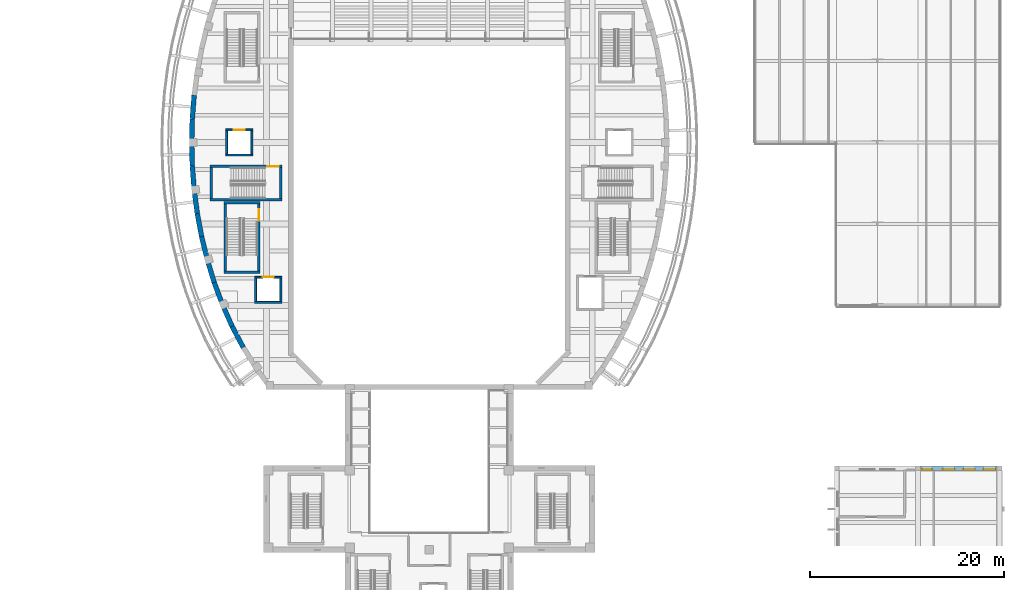
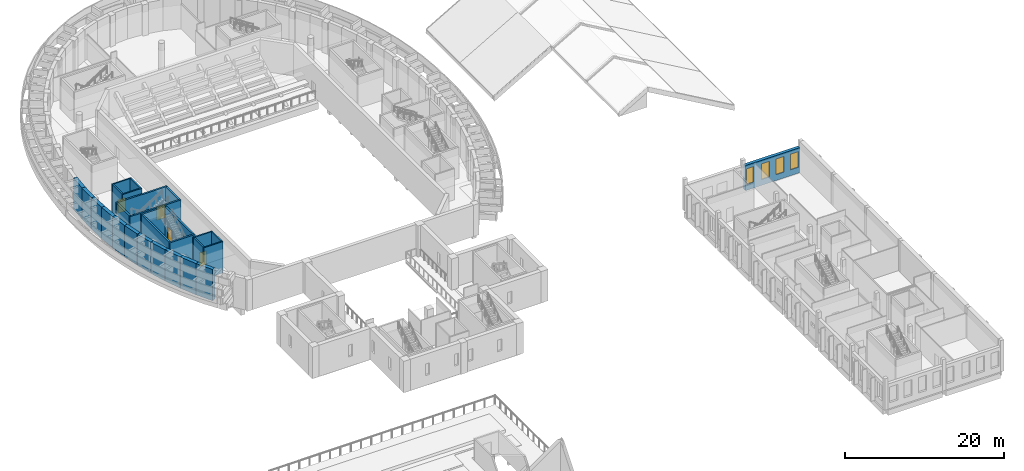
# One storey, part 12 of 37: 28 walls, 4 doors, 4 windows, 8 openings.
"""IFC4 building model written with IfcOpenShell, lengths in metres."""

from ifc_helpers import new_model, si_unit, direction, frame, frame_2d, origin, place, context, subcontext, project, spatial, rectangle, extrude, material, layer, layer_set, type_object, element, fill, save


model = new_model("IFC4")

# Units and contexts
model_context = context("Model", 3, precision=1e-05, world=origin(), true_north=direction((0.0, 1.0)))
body_context = subcontext(model_context, "Body", "Model", "MODEL_VIEW")
ifc_project = project(units=[si_unit("LENGTHUNIT", "METRE"), si_unit("AREAUNIT", "SQUARE_METRE"), si_unit("VOLUMEUNIT", "CUBIC_METRE"), si_unit("PLANEANGLEUNIT", "RADIAN"), si_unit("MASSUNIT", "GRAM", prefix="KILO")], contexts=[model_context])

# Site, building, storey
site_placement = place(None, origin())
site = spatial("IfcSite", under=ifc_project, at=site_placement, CompositionType="ELEMENT")
building_placement = place(site_placement, origin())
building = spatial("IfcBuilding", under=site, at=building_placement, Name="Larchfold Concert Hall", CompositionType="ELEMENT")
storey_placement = place(building_placement, frame((0.0, 0.0, 19.199951171875)))
storey = spatial("IfcBuildingStorey", under=building, at=storey_placement, Name="L04", CompositionType="ELEMENT", Elevation=19.199951171875)

# Wall
ifc_material_1 = material(Name="Concrete C40/50", Category="concrete")
ifc_layer_1 = layer(ifc_material_1, 0.199951171875)
ifc_layer_set_1 = layer_set([ifc_layer_1], Name="Concrete C40/50")
wall_type_1 = type_object("IfcWallType", Name="Wall RC 200 lift shaft", PredefinedType="SOLIDWALL", material=ifc_layer_set_1)
wall_1_placement = place(storey_placement, frame((24.60009765625, 68.10009765625, 0.0), z_axis=(0.0, 0.0, 1.0), x_axis=(1.0, 0.0, 0.0)))
element("IfcWall", 1, at=wall_1_placement, inside=storey, type_object=wall_type_1, Name="Wall W0090", PredefinedType="SOLIDWALL", context=body_context, shape_type="SweptSolid", body=[
    extrude(rectangle(XDim=2.7998046875, YDim=0.199951171875, at=frame_2d((1.39990234375, 0.0))), origin(), (0.0, 0.0, 1.0), 4.800048828125),
])

# Wall, opening, door
wall_2_placement = place(storey_placement, frame((24.60009765625, 70.699951171875, 0.0), z_axis=(0.0, 0.0, 1.0), x_axis=(1.0, 0.0, 0.0)))
wall_2 = element("IfcWall", 2, at=wall_2_placement, inside=storey, type_object=wall_type_1, Name="Wall W0091", PredefinedType="SOLIDWALL", context=body_context, shape_type="SweptSolid", body=[
    extrude(rectangle(XDim=2.7998046875, YDim=0.199951171875, at=frame_2d((1.39990234375, 0.0))), origin(), (0.0, 0.0, 1.0), 4.800048828125),
])
opening_1_placement = place(wall_2_placement, frame((0.849853515625, 0.0, 0.0)))
opening_1 = element("IfcOpeningElement", 3, at=opening_1_placement, cuts=wall_2, Name="Opening LD-LF02", PredefinedType="OPENING", context=body_context, shape_type="SweptSolid", body=[
    extrude(rectangle(XDim=1.10009765625, YDim=2.10009765625, at=frame_2d((0.550048828125, 1.050048828125))), frame((0.0, 0.10986328125, 0.0), z_axis=(0.0, -1.0, 0.0), x_axis=(1.0, 0.0, 0.0)), (0.0, 0.0, 1.0), 0.219970703125),
])
ifc_material_2 = material(Name="Stainless steel sliding leaves", Category="steel")
door_type_1 = type_object("IfcDoorType", Name="Lift landing door sliding 1100 x 2100", OperationType="SLIDING_TO_LEFT", PredefinedType="DOOR", material=ifc_material_2)
door_1_placement = place(opening_1_placement, origin())
door_1 = element("IfcDoor", 4, at=door_1_placement, inside=storey, type_object=door_type_1, Name="Lift landing door LF02", OperationType="SLIDING_TO_LEFT", OverallHeight=2.10009765625, OverallWidth=1.10009765625, PredefinedType="DOOR", context=body_context, shape_type="SweptSolid", body=[
    extrude(rectangle(XDim=1.10009765625, YDim=2.10009765625, at=frame_2d((0.550048828125, 1.050048828125))), frame((0.0, 0.02490234375, 0.0), z_axis=(0.0, -1.0, 0.0), x_axis=(1.0, 0.0, 0.0)), (0.0, 0.0, 1.0), 0.050048828125),
])
fill(opening_1, door_1)

# Walls
for number, where, z_axis, x_axis, name in (
    (5, (24.7001953125, 68.199951171875, 0.0), (0.0, 0.0, 1.0), (0.0, 1.0, 0.0), "Wall W0092"),
    (6, (27.2998046875, 68.199951171875, 0.0), (0.0, 0.0, 1.0), (0.0, 1.0, 0.0), "Wall W0093"),
):
    element("IfcWall", number, at=place(storey_placement, frame(where, z_axis=z_axis, x_axis=x_axis)), inside=storey, type_object=wall_type_1, Name=name, PredefinedType="SOLIDWALL", context=body_context, shape_type="SweptSolid", body=[
        extrude(rectangle(XDim=2.400146484375, YDim=0.199951171875, at=frame_2d((1.2001953125, 0.0))), origin(), (0.0, 0.0, 1.0), 4.800048828125),
    ])
wall_3_placement = place(storey_placement, frame((21.60009765625, 83.300048828125, 0.0), z_axis=(0.0, 0.0, 1.0), x_axis=(1.0, 0.0, 0.0)))
element("IfcWall", 7, at=wall_3_placement, inside=storey, type_object=wall_type_1, Name="Wall W0098", PredefinedType="SOLIDWALL", context=body_context, shape_type="SweptSolid", body=[
    extrude(rectangle(XDim=2.7998046875, YDim=0.199951171875, at=frame_2d((1.39990234375, 0.0))), origin(), (0.0, 0.0, 1.0), 4.800048828125),
])

# Wall, opening, door
wall_4_placement = place(storey_placement, frame((21.60009765625, 85.89990234375, 0.0), z_axis=(0.0, 0.0, 1.0), x_axis=(1.0, 0.0, 0.0)))
wall_4 = element("IfcWall", 8, at=wall_4_placement, inside=storey, type_object=wall_type_1, Name="Wall W0099", PredefinedType="SOLIDWALL", context=body_context, shape_type="SweptSolid", body=[
    extrude(rectangle(XDim=2.7998046875, YDim=0.199951171875, at=frame_2d((1.39990234375, 0.0))), origin(), (0.0, 0.0, 1.0), 4.800048828125),
])
opening_2_placement = place(wall_4_placement, frame((0.849853515625, 0.0, 0.0)))
opening_2 = element("IfcOpeningElement", 9, at=opening_2_placement, cuts=wall_4, Name="Opening LD-LF04", PredefinedType="OPENING", context=body_context, shape_type="SweptSolid", body=[
    extrude(rectangle(XDim=1.10009765625, YDim=2.10009765625, at=frame_2d((0.550048828125, 1.050048828125))), frame((0.0, 0.10986328125, 0.0), z_axis=(0.0, -1.0, 0.0), x_axis=(1.0, 0.0, 0.0)), (0.0, 0.0, 1.0), 0.219970703125),
])
door_2_placement = place(opening_2_placement, origin())
door_2 = element("IfcDoor", 10, at=door_2_placement, inside=storey, type_object=door_type_1, Name="Lift landing door LF04", OperationType="SLIDING_TO_LEFT", OverallHeight=2.10009765625, OverallWidth=1.10009765625, PredefinedType="DOOR", context=body_context, shape_type="SweptSolid", body=[
    extrude(rectangle(XDim=1.10009765625, YDim=2.10009765625, at=frame_2d((0.550048828125, 1.050048828125))), frame((0.0, 0.02490234375, 0.0), z_axis=(0.0, -1.0, 0.0), x_axis=(1.0, 0.0, 0.0)), (0.0, 0.0, 1.0), 0.050048828125),
])
fill(opening_2, door_2)

# Walls
for number, where, z_axis, x_axis, name in (
    (11, (21.7001953125, 83.39990234375, 0.0), (0.0, 0.0, 1.0), (0.0, 1.0, 0.0), "Wall W0100"),
    (12, (24.2998046875, 83.39990234375, 0.0), (0.0, 0.0, 1.0), (0.0, 1.0, 0.0), "Wall W0101"),
):
    element("IfcWall", number, at=place(storey_placement, frame(where, z_axis=z_axis, x_axis=x_axis)), inside=storey, type_object=wall_type_1, Name=name, PredefinedType="SOLIDWALL", context=body_context, shape_type="SweptSolid", body=[
        extrude(rectangle(XDim=2.400146484375, YDim=0.199951171875, at=frame_2d((1.2001953125, 0.0))), origin(), (0.0, 0.0, 1.0), 4.800048828125),
    ])
ifc_material_3 = material(Name="Concrete C40/50", Category="concrete")
ifc_layer_2 = layer(ifc_material_3, 0.25)
ifc_layer_set_2 = layer_set([ifc_layer_2], Name="Concrete C40/50")
wall_type_2 = type_object("IfcWallType", Name="Wall RC 250 stair core", PredefinedType="SOLIDWALL", material=ifc_layer_set_2)
for number, where, z_axis, x_axis, name in (
    (13, (21.449951171875, 71.22509765625, 0.0), (0.0, 0.0, 1.0), (1.0, 0.0, 0.0), "Wall W0042"),
    (14, (21.449951171875, 78.375, 0.0), (0.0, 0.0, 1.0), (1.0, 0.0, 0.0), "Wall W0043"),
):
    element("IfcWall", number, at=place(storey_placement, frame(where, z_axis=z_axis, x_axis=x_axis)), inside=storey, type_object=wall_type_2, Name=name, PredefinedType="SOLIDWALL", context=body_context, shape_type="SweptSolid", body=[
        extrude(rectangle(XDim=3.699951171875, YDim=0.25, at=frame_2d((1.85009765625, 0.0))), origin(), (0.0, 0.0, 1.0), 4.800048828125),
    ])
wall_5_placement = place(storey_placement, frame((21.574951171875, 71.35009765625, 0.0), z_axis=(0.0, 0.0, 1.0), x_axis=(0.0, 1.0, 0.0)))
element("IfcWall", 15, at=wall_5_placement, inside=storey, type_object=wall_type_2, Name="Wall W0044", PredefinedType="SOLIDWALL", context=body_context, shape_type="SweptSolid", body=[
    extrude(rectangle(XDim=6.89990234375, YDim=0.25, at=frame_2d((3.449951171875, 0.0))), origin(), (0.0, 0.0, 1.0), 4.800048828125),
])

# Wall, opening, door
wall_6_placement = place(storey_placement, frame((25.02490234375, 71.35009765625, 0.0), z_axis=(0.0, 0.0, 1.0), x_axis=(0.0, 1.0, 0.0)))
wall_6 = element("IfcWall", 16, at=wall_6_placement, inside=storey, type_object=wall_type_2, Name="Wall W0045", PredefinedType="SOLIDWALL", context=body_context, shape_type="SweptSolid", body=[
    extrude(rectangle(XDim=6.89990234375, YDim=0.25, at=frame_2d((3.449951171875, 0.0))), origin(), (0.0, 0.0, 1.0), 4.800048828125),
])
opening_3_placement = place(wall_6_placement, frame((5.14990234375, 0.0, 0.0)))
opening_3 = element("IfcOpeningElement", 17, at=opening_3_placement, cuts=wall_6, Name="Opening D-L04-117", PredefinedType="OPENING", context=body_context, shape_type="SweptSolid", body=[
    extrude(rectangle(XDim=1.199951171875, YDim=2.10009765625, at=frame_2d((0.60009765625, 1.050048828125))), frame((0.0, 0.135009765625, 0.0), z_axis=(0.0, -1.0, 0.0), x_axis=(1.0, 0.0, 0.0)), (0.0, 0.0, 1.0), 0.27001953125),
])
ifc_material_4 = material(Name="Timber door leaf", Category="wood")
door_type_2 = type_object("IfcDoorType", Name="Stair enclosure door pair 1200 x 2100 FD60", OperationType="SINGLE_SWING_LEFT", PredefinedType="DOOR", material=ifc_material_4)
door_3_placement = place(opening_3_placement, origin())
door_3 = element("IfcDoor", 18, at=door_3_placement, inside=storey, type_object=door_type_2, Name="Door D-L04-117", OperationType="DOUBLE_DOOR_SINGLE_SWING", OverallHeight=2.10009765625, OverallWidth=1.199951171875, PredefinedType="DOOR", context=body_context, shape_type="SweptSolid", body=[
    extrude(rectangle(XDim=1.199951171875, YDim=2.10009765625, at=frame_2d((0.60009765625, 1.050048828125))), frame((0.0, 0.02490234375, 0.0), z_axis=(0.0, -1.0, 0.0), x_axis=(1.0, 0.0, 0.0)), (0.0, 0.0, 1.0), 0.050048828125),
])
fill(opening_3, door_3)

# Wall
wall_7_placement = place(storey_placement, frame((20.0, 78.675048828125, 0.0), z_axis=(0.0, 0.0, 1.0), x_axis=(1.0, 0.0, 0.0)))
element("IfcWall", 19, at=wall_7_placement, inside=storey, type_object=wall_type_2, Name="Wall W0050", PredefinedType="SOLIDWALL", context=body_context, shape_type="SweptSolid", body=[
    extrude(rectangle(XDim=7.39990234375, YDim=0.25, at=frame_2d((3.699951171875, 0.0))), origin(), (0.0, 0.0, 1.0), 4.800048828125),
])

# Wall, opening, door
wall_8_placement = place(storey_placement, frame((20.0, 82.125, 0.0), z_axis=(0.0, 0.0, 1.0), x_axis=(1.0, 0.0, 0.0)))
wall_8 = element("IfcWall", 20, at=wall_8_placement, inside=storey, type_object=wall_type_2, Name="Wall W0051", PredefinedType="SOLIDWALL", context=body_context, shape_type="SweptSolid", body=[
    extrude(rectangle(XDim=7.39990234375, YDim=0.25, at=frame_2d((3.699951171875, 0.0))), origin(), (0.0, 0.0, 1.0), 4.800048828125),
])
opening_4_placement = place(wall_8_placement, frame((5.89990234375, 0.0, 0.0)))
opening_4 = element("IfcOpeningElement", 21, at=opening_4_placement, cuts=wall_8, Name="Opening D-L04-119", PredefinedType="OPENING", context=body_context, shape_type="SweptSolid", body=[
    extrude(rectangle(XDim=1.199951171875, YDim=2.10009765625, at=frame_2d((0.60009765625, 1.050048828125))), frame((0.0, 0.135009765625, 0.0), z_axis=(0.0, -1.0, 0.0), x_axis=(1.0, 0.0, 0.0)), (0.0, 0.0, 1.0), 0.27001953125),
])
door_4_placement = place(opening_4_placement, origin())
door_4 = element("IfcDoor", 22, at=door_4_placement, inside=storey, type_object=door_type_2, Name="Door D-L04-119", OperationType="DOUBLE_DOOR_SINGLE_SWING", OverallHeight=2.10009765625, OverallWidth=1.199951171875, PredefinedType="DOOR", context=body_context, shape_type="SweptSolid", body=[
    extrude(rectangle(XDim=1.199951171875, YDim=2.10009765625, at=frame_2d((0.60009765625, 1.050048828125))), frame((0.0, 0.02490234375, 0.0), z_axis=(0.0, -1.0, 0.0), x_axis=(1.0, 0.0, 0.0)), (0.0, 0.0, 1.0), 0.050048828125),
])
fill(opening_4, door_4)

# Walls
for number, where, z_axis, x_axis, name in (
    (23, (20.125, 78.800048828125, 0.0), (0.0, 0.0, 1.0), (0.0, 1.0, 0.0), "Wall W0052"),
    (24, (27.27490234375, 78.800048828125, 0.0), (0.0, 0.0, 1.0), (0.0, 1.0, 0.0), "Wall W0053"),
):
    element("IfcWall", number, at=place(storey_placement, frame(where, z_axis=z_axis, x_axis=x_axis)), inside=storey, type_object=wall_type_2, Name=name, PredefinedType="SOLIDWALL", context=body_context, shape_type="SweptSolid", body=[
        extrude(rectangle(XDim=3.199951171875, YDim=0.25, at=frame_2d((1.60009765625, 0.0))), origin(), (0.0, 0.0, 1.0), 4.800048828125),
    ])
ifc_material_5 = material(Name="Concrete C30/37", Category="concrete")
ifc_layer_3 = layer(ifc_material_5, 0.5)
ifc_layer_set_3 = layer_set([ifc_layer_3], Name="Concrete C30/37")
wall_type_3 = type_object("IfcWallType", Name="Wall RC 500 drum facade", PredefinedType="SOLIDWALL", material=ifc_layer_set_3)
for number, where, z_axis, x_axis, name in (
    (25, (18.3515625, 89.459716796875, 0.0), (0.0, 0.0, 1.0), (-0.077540262419, -0.996989221458, 0.0), "Wall DW037"),
    (26, (18.162841796875, 87.033203125, 0.0), (0.0, 0.0, 1.0), (-0.025779107921, -0.999667663574, 0.0), "Wall DW038"),
):
    element("IfcWall", number, at=place(storey_placement, frame(where, z_axis=z_axis, x_axis=x_axis)), inside=storey, type_object=wall_type_3, Name=name, PredefinedType="SOLIDWALL", context=body_context, shape_type="SweptSolid", body=[
        extrude(rectangle(XDim=2.433837890625, YDim=0.5, at=frame_2d((1.216796875, 0.0))), origin(), (0.0, 0.0, 1.0), 4.800048828125),
    ])
wall_9_placement = place(storey_placement, frame((18.10009765625, 84.60009765625, 0.0), z_axis=(0.0, 0.0, 1.0), x_axis=(0.02591869307, -0.999664054245, 0.0)))
element("IfcWall", 27, at=wall_9_placement, inside=storey, type_object=wall_type_3, Name="Wall DW039", PredefinedType="SOLIDWALL", context=body_context, shape_type="SweptSolid", body=[
    extrude(rectangle(XDim=2.448974609375, YDim=0.5, at=frame_2d((1.224609375, 0.0))), origin(), (0.0, 0.0, 1.0), 4.800048828125),
])
wall_10_placement = place(storey_placement, frame((18.16357421875, 82.15185546875, 0.0), z_axis=(0.0, 0.0, 1.0), x_axis=(0.078053315948, -0.996949186202, 0.0)))
element("IfcWall", 28, at=wall_10_placement, inside=storey, type_object=wall_type_3, Name="Wall DW040", PredefinedType="SOLIDWALL", context=body_context, shape_type="SweptSolid", body=[
    extrude(rectangle(XDim=2.44921875, YDim=0.5, at=frame_2d((1.224609375, 0.0))), origin(), (0.0, 0.0, 1.0), 4.800048828125),
])
for number, where, z_axis, x_axis, name in (
    (29, (18.354736328125, 79.710205078125, 0.0), (0.0, 0.0, 1.0), (0.130498353005, -0.991448526078, 0.0), "Wall DW041"),
    (30, (18.67431640625, 77.2822265625, 0.0), (0.0, 0.0, 1.0), (0.183524085598, -0.983015213517, 0.0), "Wall DW042"),
    (31, (19.123779296875, 74.874755859375, 0.0), (0.0, 0.0, 1.0), (0.237465633216, -0.971395940408, 0.0), "Wall DW043"),
    (32, (19.705322265625, 72.495849609375, 0.0), (0.0, 0.0, 1.0), (0.29250219685, -0.95626485078, 0.0), "Wall DW044"),
    (33, (20.421630859375, 70.154052734375, 0.0), (0.0, 0.0, 1.0), (0.348817204426, -0.937190779882, 0.0), "Wall DW045"),
):
    element("IfcWall", number, at=place(storey_placement, frame(where, z_axis=z_axis, x_axis=x_axis)), inside=storey, type_object=wall_type_3, Name=name, PredefinedType="SOLIDWALL", context=body_context, shape_type="SweptSolid", body=[
        extrude(rectangle(XDim=2.448974609375, YDim=0.5, at=frame_2d((1.224609375, 0.0))), origin(), (0.0, 0.0, 1.0), 4.800048828125),
    ])
wall_11_placement = place(storey_placement, frame((21.27587890625, 67.85888671875, 0.0), z_axis=(0.0, 0.0, 1.0), x_axis=(0.406767391574, -0.913531766909, 0.0)))
element("IfcWall", 34, at=wall_11_placement, inside=storey, type_object=wall_type_3, Name="Wall DW046", PredefinedType="SOLIDWALL", context=body_context, shape_type="SweptSolid", body=[
    extrude(rectangle(XDim=2.44873046875, YDim=0.5, at=frame_2d((1.224365234375, 0.0))), origin(), (0.0, 0.0, 1.0), 4.800048828125),
])
wall_12_placement = place(storey_placement, frame((22.27197265625, 65.621826171875, 0.0), z_axis=(0.0, 0.0, 1.0), x_axis=(0.466448872517, -0.884548161112, 0.0)))
element("IfcWall", 35, at=wall_12_placement, inside=storey, type_object=wall_type_3, Name="Wall DW047", PredefinedType="SOLIDWALL", context=body_context, shape_type="SweptSolid", body=[
    extrude(rectangle(XDim=2.448974609375, YDim=0.5, at=frame_2d((1.224609375, 0.0))), origin(), (0.0, 0.0, 1.0), 4.800048828125),
])

# Wall, openings, windows
ifc_material_6 = material(Name="White render on mineral wool and block")
ifc_layer_4 = layer(ifc_material_6, 0.449951171875)
ifc_layer_set_4 = layer_set([ifc_layer_4], Name="White render on mineral wool and block")
wall_type_4 = type_object("IfcWallType", Name="White render infill wall 450", PredefinedType="SOLIDWALL", material=ifc_layer_set_4)
wall_13_placement = place(storey_placement, frame((101.14990234375, 51.0, 0.0), z_axis=(0.0, 0.0, 1.0), x_axis=(-1.0, 0.0, 0.0)))
wall_13 = element("IfcWall", 36, at=wall_13_placement, inside=storey, type_object=wall_type_4, Name="Infill wall W5166", PredefinedType="SOLIDWALL", context=body_context, shape_type="SweptSolid", body=[
    extrude(rectangle(XDim=7.89990234375, YDim=0.449951171875, at=frame_2d((3.949951171875, 0.0))), origin(), (0.0, 0.0, 1.0), 3.840087890625),
])
opening_5_placement = place(wall_13_placement, frame((6.7216796875, 0.0, 0.89990234375)))
opening_5 = element("IfcOpeningElement", 37, at=opening_5_placement, cuts=wall_13, Name="Opening WN-L04-017", PredefinedType="OPENING", context=body_context, shape_type="SweptSolid", body=[
    extrude(rectangle(XDim=1.050048828125, YDim=2.39990234375, at=frame_2d((0.52490234375, 1.199951171875))), frame((0.0, 0.23486328125, 0.0), z_axis=(0.0, -1.0, 0.0), x_axis=(1.0, 0.0, 0.0)), (0.0, 0.0, 1.0), 0.469970703125),
])
opening_6_placement = place(wall_13_placement, frame((4.39990234375, 0.0, 0.89990234375)))
opening_6 = element("IfcOpeningElement", 38, at=opening_6_placement, cuts=wall_13, Name="Opening WN-L04-018", PredefinedType="OPENING", context=body_context, shape_type="SweptSolid", body=[
    extrude(rectangle(XDim=1.199951171875, YDim=2.39990234375, at=frame_2d((0.60009765625, 1.199951171875))), frame((0.0, 0.23486328125, 0.0), z_axis=(0.0, -1.0, 0.0), x_axis=(1.0, 0.0, 0.0)), (0.0, 0.0, 1.0), 0.469970703125),
])
opening_7_placement = place(wall_13_placement, frame((2.2998046875, 0.0, 0.89990234375)))
opening_7 = element("IfcOpeningElement", 39, at=opening_7_placement, cuts=wall_13, Name="Opening WN-L04-019", PredefinedType="OPENING", context=body_context, shape_type="SweptSolid", body=[
    extrude(rectangle(XDim=1.199951171875, YDim=2.39990234375, at=frame_2d((0.60009765625, 1.199951171875))), frame((0.0, 0.23486328125, 0.0), z_axis=(0.0, -1.0, 0.0), x_axis=(1.0, 0.0, 0.0)), (0.0, 0.0, 1.0), 0.469970703125),
])
opening_8_placement = place(wall_13_placement, frame((0.199951171875, 0.0, 0.89990234375)))
opening_8 = element("IfcOpeningElement", 40, at=opening_8_placement, cuts=wall_13, Name="Opening WN-L04-020", PredefinedType="OPENING", context=body_context, shape_type="SweptSolid", body=[
    extrude(rectangle(XDim=1.199951171875, YDim=2.39990234375, at=frame_2d((0.60009765625, 1.199951171875))), frame((0.0, 0.23486328125, 0.0), z_axis=(0.0, -1.0, 0.0), x_axis=(1.0, 0.0, 0.0)), (0.0, 0.0, 1.0), 0.469970703125),
])
ifc_material_7 = material(Name="Anodised graphite aluminium frame with glass", Category="aluminium")
window_type_1 = type_object("IfcWindowType", Name="Slot window 1050x2400", PartitioningType="SINGLE_PANEL", PredefinedType="WINDOW", material=ifc_material_7)
window_1_placement = place(opening_5_placement, origin())
window_1 = element("IfcWindow", 41, at=window_1_placement, inside=storey, type_object=window_type_1, Name="Window WN-L04-017", OverallHeight=2.39990234375, OverallWidth=1.050048828125, PartitioningType="SINGLE_PANEL", PredefinedType="WINDOW", context=body_context, shape_type="SweptSolid", body=[
    extrude(rectangle(XDim=1.050048828125, YDim=2.39990234375, at=frame_2d((0.52490234375, 1.199951171875))), frame((0.0, 0.135009765625, 0.0), z_axis=(0.0, -1.0, 0.0), x_axis=(1.0, 0.0, 0.0)), (0.0, 0.0, 1.0), 0.06005859375),
])
fill(opening_5, window_1)
ifc_material_8 = material(Name="Anodised graphite aluminium frame with glass", Category="aluminium")
window_type_2 = type_object("IfcWindowType", Name="Slot window 1200x2400", PartitioningType="SINGLE_PANEL", PredefinedType="WINDOW", material=ifc_material_8)
window_2_placement = place(opening_6_placement, origin())
window_2 = element("IfcWindow", 42, at=window_2_placement, inside=storey, type_object=window_type_2, Name="Window WN-L04-018", OverallHeight=2.39990234375, OverallWidth=1.199951171875, PartitioningType="SINGLE_PANEL", PredefinedType="WINDOW", context=body_context, shape_type="SweptSolid", body=[
    extrude(rectangle(XDim=1.199951171875, YDim=2.39990234375, at=frame_2d((0.60009765625, 1.199951171875))), frame((0.0, 0.135009765625, 0.0), z_axis=(0.0, -1.0, 0.0), x_axis=(1.0, 0.0, 0.0)), (0.0, 0.0, 1.0), 0.06005859375),
])
fill(opening_6, window_2)
window_3_placement = place(opening_7_placement, origin())
window_3 = element("IfcWindow", 43, at=window_3_placement, inside=storey, type_object=window_type_2, Name="Window WN-L04-019", OverallHeight=2.39990234375, OverallWidth=1.199951171875, PartitioningType="SINGLE_PANEL", PredefinedType="WINDOW", context=body_context, shape_type="SweptSolid", body=[
    extrude(rectangle(XDim=1.199951171875, YDim=2.39990234375, at=frame_2d((0.60009765625, 1.199951171875))), frame((0.0, 0.135009765625, 0.0), z_axis=(0.0, -1.0, 0.0), x_axis=(1.0, 0.0, 0.0)), (0.0, 0.0, 1.0), 0.06005859375),
])
fill(opening_7, window_3)
window_4_placement = place(opening_8_placement, origin())
window_4 = element("IfcWindow", 44, at=window_4_placement, inside=storey, type_object=window_type_2, Name="Window WN-L04-020", OverallHeight=2.39990234375, OverallWidth=1.199951171875, PartitioningType="SINGLE_PANEL", PredefinedType="WINDOW", context=body_context, shape_type="SweptSolid", body=[
    extrude(rectangle(XDim=1.199951171875, YDim=2.39990234375, at=frame_2d((0.60009765625, 1.199951171875))), frame((0.0, 0.135009765625, 0.0), z_axis=(0.0, -1.0, 0.0), x_axis=(1.0, 0.0, 0.0)), (0.0, 0.0, 1.0), 0.06005859375),
])
fill(opening_8, window_4)

save(model, "model.ifc")
